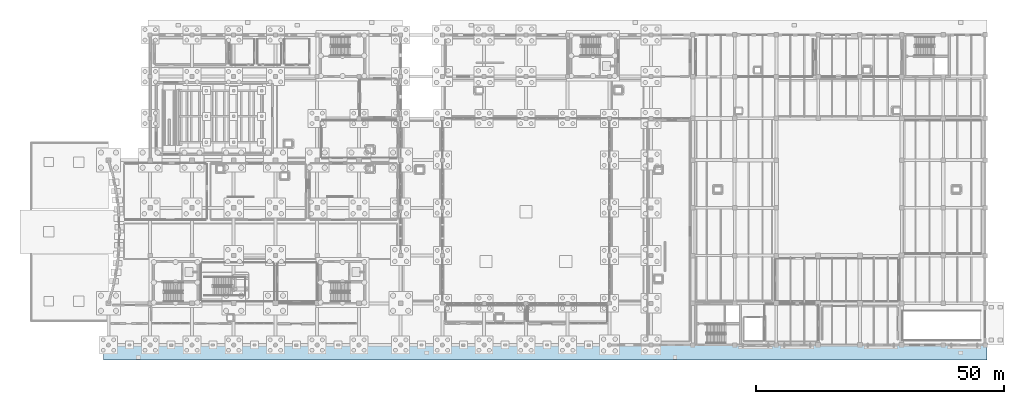
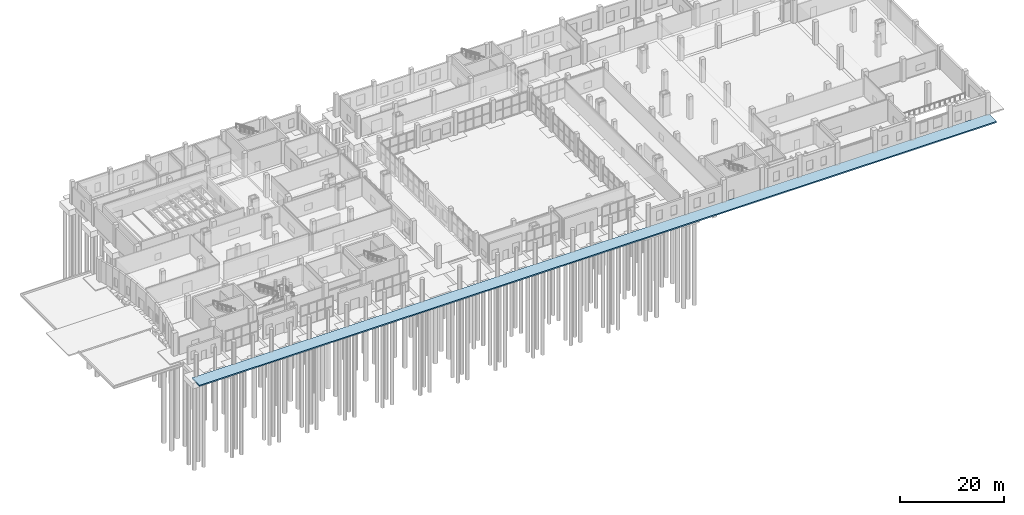
# One storey, part 32 of 65: 1 slab.
"""IFC4 building model written with IfcOpenShell, lengths in metres."""

from ifc_helpers import new_model, si_unit, direction, frame, origin, place, context, subcontext, project, spatial, polyline, outline, extrude, material, layer, layer_set, type_object, element, save


model = new_model("IFC4")

# Units and contexts
model_context = context("Model", 3, precision=1e-05, world=origin(), true_north=direction((0.0, 1.0)))
body_context = subcontext(model_context, "Body", "Model", "MODEL_VIEW")
ifc_project = project(units=[si_unit("LENGTHUNIT", "METRE"), si_unit("AREAUNIT", "SQUARE_METRE"), si_unit("VOLUMEUNIT", "CUBIC_METRE"), si_unit("PLANEANGLEUNIT", "RADIAN"), si_unit("MASSUNIT", "GRAM", prefix="KILO")], contexts=[model_context])

# Site, building, storey
site_placement = place(None, origin())
site = spatial("IfcSite", under=ifc_project, at=site_placement, CompositionType="ELEMENT")
building_placement = place(site_placement, origin())
building = spatial("IfcBuilding", under=site, at=building_placement, Name="Zulmaris Art Gallery", CompositionType="ELEMENT")
storey_placement = place(building_placement, origin())
storey = spatial("IfcBuildingStorey", under=building, at=storey_placement, Name="L00", CompositionType="ELEMENT", Elevation=0.0)

# Slab
ifc_material = material(Name="Concrete C40/50", Category="concrete")
ifc_layer = layer(ifc_material, 0.300048828125)
ifc_layer_set = layer_set([ifc_layer], Name="Concrete C40/50")
slab_type = type_object("IfcSlabType", Name="SLAB-SL-CAN01", PredefinedType="FLOOR", material=ifc_layer_set)
slab_placement = place(storey_placement, frame((0.0, 0.0, -0.300048828125)))
element("IfcSlab", 1, at=slab_placement, inside=storey, type_object=slab_type, Name="L00 Exterior Paved Court/Apron APR-SOUTH", PredefinedType="FLOOR", context=body_context, shape_type="SweptSolid", body=[
    extrude(outline(polyline([(23.0, 10.199951171875), (200.800048828125, 10.199951171875), (200.800048828125, 13.14990234375), (23.0, 13.14990234375), (23.0, 10.199951171875)])), origin(), (0.0, 0.0, 1.0), 0.300048828125),
])

save(model, "model.ifc")
